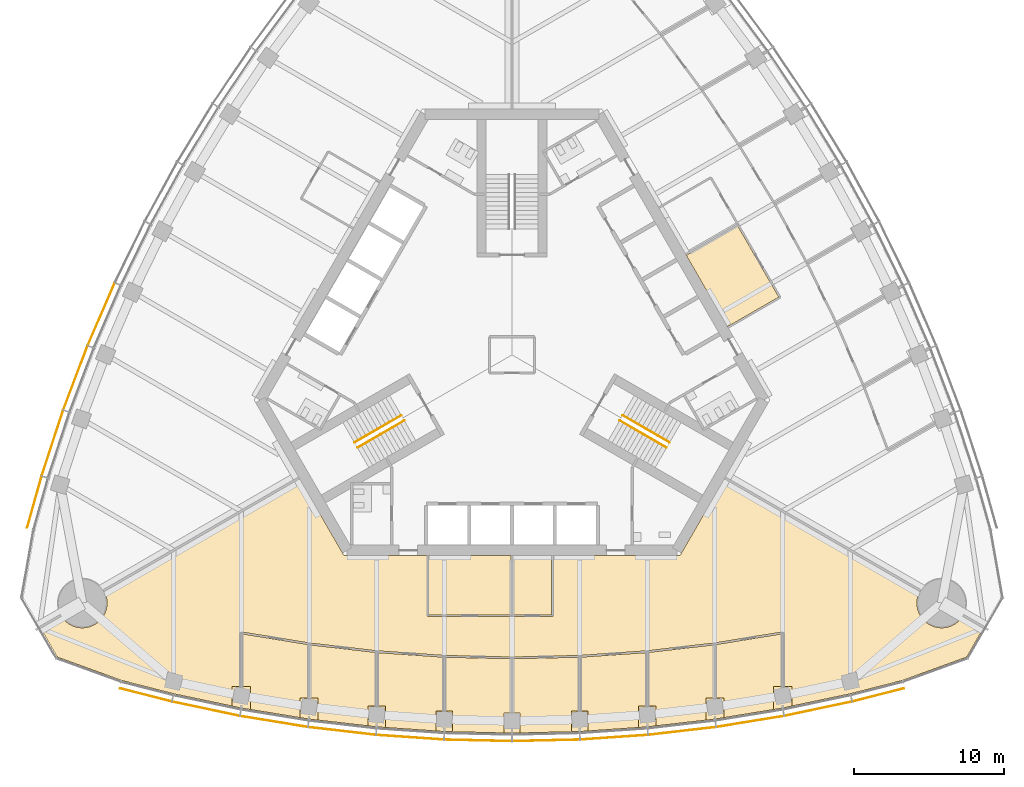
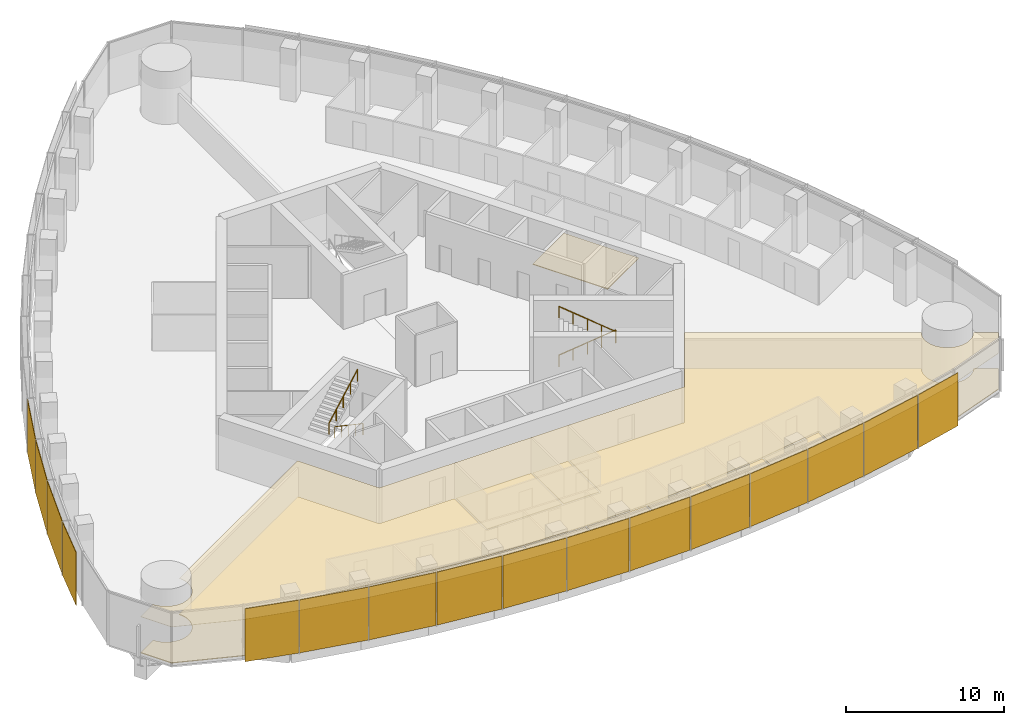
# One storey, part 15 of 19: 16 shading devices, 13 coverings, 4 railings.
"""IFC4 building model written with IfcOpenShell, lengths in metres."""

import ifcopenshell
import ifcopenshell.guid

model = None  # the IFC model being written
_history = None  # IfcOwnerHistory: only IFC2X3 demands one
_inside = {}  # id of a spatial element -> (the spatial element, [elements in it])
_under = {}  # id of a project, library or spatial element -> (it, [spatial elements below it])
_declared = {}  # id of a project -> (the project, [libraries it declares])
_typed = {}  # id of a type object -> (the type object, [elements of that type])
_made_of = {}  # id of a material, layer set ... -> (it, [elements and type objects made of it])


def new_model(schema):
    """Start an empty IFC model of exactly this schema.

    Asked for "IFC4X3", IfcOpenShell would pick the latest addendum, in which some entities
    have other attributes; the version numbers below select the first issue.
    IFC2X3 requires an IfcOwnerHistory on every rooted entity: one is made here for all.
    """
    global model, _history
    if schema == "IFC4X3":
        model = ifcopenshell.file(schema_version=(4, 3, 0, 0))
    else:
        model = ifcopenshell.file(schema=schema)
    _inside.clear()
    _under.clear()
    _declared.clear()
    _typed.clear()
    _made_of.clear()
    _history = None
    if model.schema == "IFC2X3":
        org = make("IfcOrganization", Name="unknown")
        user = make(
            "IfcPersonAndOrganization",
            ThePerson=make("IfcPerson", FamilyName="unknown"),
            TheOrganization=org,
        )
        app = make(
            "IfcApplication",
            ApplicationDeveloper=org,
            Version="unknown",
            ApplicationFullName="unknown",
            ApplicationIdentifier="unknown",
        )
        _history = make(
            "IfcOwnerHistory",
            OwningUser=user,
            OwningApplication=app,
            ChangeAction="ADDED",
            CreationDate=0,
        )
    return model


def make(cls, **values):
    """One entity of the class cls with the attributes given. An attribute that is None is left unset."""
    return model.create_entity(
        cls, **{name: value for name, value in values.items() if value is not None}
    )


def rooted(cls, **values):
    """An entity with a GlobalId (a new one), such as an element, a storey or a relation."""
    return make(cls, GlobalId=ifcopenshell.guid.new(), OwnerHistory=_history, **values)


def si_unit(unit_type, name, prefix=None):
    """IfcSIUnit, for example si_unit("LENGTHUNIT", "METRE", prefix="MILLI")."""
    return make("IfcSIUnit", UnitType=unit_type, Prefix=prefix, Name=name)


def assignment(units):
    """IfcUnitAssignment: the units of a project."""
    return None if units is None else make("IfcUnitAssignment", Units=units)


def point(xyz):
    """IfcCartesianPoint."""
    return None if xyz is None else make("IfcCartesianPoint", Coordinates=xyz)


def direction(xyz):
    """IfcDirection."""
    return None if xyz is None else make("IfcDirection", DirectionRatios=xyz)


def frame(location, z_axis=None, x_axis=None):
    """IfcAxis2Placement3D, a coordinate frame: its origin and axes. An axis left out is left unset."""
    return make(
        "IfcAxis2Placement3D",
        Location=point(location),
        Axis=direction(z_axis),
        RefDirection=direction(x_axis),
    )


def frame_2d(location, x_axis=None):
    """IfcAxis2Placement2D, a coordinate frame in the plane: its origin and x axis."""
    return make(
        "IfcAxis2Placement2D", Location=point(location), RefDirection=direction(x_axis)
    )


def origin():
    """The frame at (0, 0, 0) with its axes left unset."""
    return frame((0.0, 0.0, 0.0))


def origin_2d():
    """The frame at (0, 0) in the plane with its x axis left unset."""
    return frame_2d((0.0, 0.0))


def place(relative_to, where):
    """IfcLocalPlacement: puts the frame where relative to a parent placement (None: the world)."""
    return make(
        "IfcLocalPlacement", PlacementRelTo=relative_to, RelativePlacement=where
    )


def context(
    kind, dimensions, precision=None, world=None, true_north=None, identifier=None
):
    """IfcGeometricRepresentationContext, for example the 3D "Model" context."""
    return make(
        "IfcGeometricRepresentationContext",
        ContextIdentifier=identifier,
        ContextType=kind,
        CoordinateSpaceDimension=dimensions,
        Precision=precision,
        WorldCoordinateSystem=world,
        TrueNorth=true_north,
    )


def subcontext(parent, identifier, kind, view, scale=None):
    """IfcGeometricRepresentationSubContext, for example "Body" below "Model"."""
    return make(
        "IfcGeometricRepresentationSubContext",
        ContextIdentifier=identifier,
        ContextType=kind,
        ParentContext=parent,
        TargetScale=scale,
        TargetView=view,
    )


def project(units=None, contexts=None):
    """IfcProject with its units and contexts."""
    return rooted(
        "IfcProject",
        Name="project",
        RepresentationContexts=contexts,
        UnitsInContext=assignment(units),
    )


def spatial(cls, under=None, at=None, **own):
    """A site, building, storey or space (cls), placed at a placement, below another one or the project."""
    s = rooted(cls, ObjectPlacement=at, **own)
    if under is not None:
        _under.setdefault(under.id(), (under, []))[1].append(s)
    return s


def polyline(points):
    """IfcPolyline through the points."""
    return make("IfcPolyline", Points=[point(p) for p in points])


def profile(cls, at=None, kind="AREA", **sizes):
    """A parametric profile (cls). Its sizes go by their IFC names, for example OverallWidth=200.0."""
    return make(cls, ProfileType=kind, Position=at, **sizes)


def rectangle(**sizes):
    """IfcRectangleProfileDef."""
    return profile("IfcRectangleProfileDef", **sizes)


def circle(**sizes):
    """IfcCircleProfileDef."""
    return profile("IfcCircleProfileDef", **sizes)


def outline(outer, holes=None, kind="AREA"):
    """IfcArbitraryClosedProfileDef: a profile drawn as a closed curve; with holes, ...WithVoids."""
    if holes is None:
        return make("IfcArbitraryClosedProfileDef", ProfileType=kind, OuterCurve=outer)
    return make(
        "IfcArbitraryProfileDefWithVoids",
        ProfileType=kind,
        OuterCurve=outer,
        InnerCurves=holes,
    )


def extrude(swept, where, along, depth):
    """IfcExtrudedAreaSolid: the profile swept, set in the frame where, extruded along a direction by depth."""
    return make(
        "IfcExtrudedAreaSolid",
        SweptArea=swept,
        Position=where,
        ExtrudedDirection=direction(along),
        Depth=depth,
    )


def shape(context_of_items, identifier, shape_type, items):
    """IfcShapeRepresentation: the items that make up one representation, for example the "Body"."""
    return make(
        "IfcShapeRepresentation",
        ContextOfItems=context_of_items,
        RepresentationIdentifier=identifier,
        RepresentationType=shape_type,
        Items=items,
    )


def material(Name=None, Category=None):
    """IfcMaterial."""
    return make("IfcMaterial", Name=Name, Category=Category)


def layer(
    of_material, thickness, ventilated=None, Name=None, Category=None, Priority=None
):
    """IfcMaterialLayer: one layer of a wall or slab, of a material (None: an air gap)."""
    return make(
        "IfcMaterialLayer",
        Material=of_material,
        LayerThickness=thickness,
        IsVentilated=ventilated,
        Name=Name,
        Category=Category,
        Priority=Priority,
    )


def layer_set(layers, Name=None):
    """IfcMaterialLayerSet."""
    return make("IfcMaterialLayerSet", MaterialLayers=layers, LayerSetName=Name)


def made_of(thing, what):
    """Note that an element or type object is made of a material, layer set ...; save() writes the relation."""
    if what is not None:
        _made_of.setdefault(what.id(), (what, []))[1].append(thing)
    return thing


def type_object(cls, material=None, **own):
    """A type object (cls), such as IfcWallType, which elements share."""
    return made_of(rooted(cls, **own), material)


def element(
    cls,
    number,
    at=None,
    inside=None,
    cuts=None,
    type_object=None,
    material=None,
    context=None,
    identifier="Body",
    shape_type=None,
    held_by="IfcProductDefinitionShape",
    body=None,
    shapes=None,
    **own,
):
    """One element of the class cls, such as IfcWall. Its Tag is "e" and its number.

    at: its placement. inside: the storey or other place that contains it. cuts: it is an
    opening in that element (IfcRelVoidsElement). A single representation is given by context,
    identifier, shape_type and body (its items); several are given by shapes. held_by: the class
    of the entity that holds the representations. save() writes the other relations.
    """
    e = rooted(cls, Tag="e%d" % number, ObjectPlacement=at, **own)
    if body is not None:
        shapes = [shape(context, identifier, shape_type, body)]
    if shapes is not None:
        e.Representation = make(held_by, Representations=shapes)
    if inside is not None:
        _inside.setdefault(inside.id(), (inside, []))[1].append(e)
    if cuts is not None:
        rooted(
            "IfcRelVoidsElement", RelatingBuildingElement=cuts, RelatedOpeningElement=e
        )
    if type_object is not None:
        _typed.setdefault(type_object.id(), (type_object, []))[1].append(e)
    return made_of(e, material)


def aggregate(whole, parts):
    """IfcRelAggregates: a whole, such as a stair, and the parts it consists of."""
    return rooted("IfcRelAggregates", RelatingObject=whole, RelatedObjects=parts)


def save(model, path):
    """Write the relations noted so far, then the file.

    IfcRelAggregates (storeys below a building ...), IfcRelContainedInSpatialStructure (elements
    in a storey), IfcRelDefinesByType, IfcRelAssociatesMaterial and IfcRelDeclares: one each for
    every whole, place, type object, material and project.
    """
    for whole, parts in _under.values():
        aggregate(whole, parts)
    for where, things in _inside.values():
        rooted(
            "IfcRelContainedInSpatialStructure",
            RelatedElements=things,
            RelatingStructure=where,
        )
    for kind, things in _typed.values():
        rooted("IfcRelDefinesByType", RelatedObjects=things, RelatingType=kind)
    for what, things in _made_of.values():
        rooted("IfcRelAssociatesMaterial", RelatedObjects=things, RelatingMaterial=what)
    for by, libraries in _declared.values():
        rooted("IfcRelDeclares", RelatingContext=by, RelatedDefinitions=libraries)
    model.write(path)


model = new_model("IFC4")

# Units and contexts
model_context = context("Model", 3, precision=1e-05, world=origin(), true_north=direction((0.0, 1.0)))
body_context = subcontext(model_context, "Body", "Model", "MODEL_VIEW")
ifc_project = project(units=[si_unit("LENGTHUNIT", "METRE"), si_unit("AREAUNIT", "SQUARE_METRE"), si_unit("VOLUMEUNIT", "CUBIC_METRE"), si_unit("PLANEANGLEUNIT", "RADIAN"), si_unit("MASSUNIT", "GRAM", prefix="KILO")], contexts=[model_context])

# Site, building, storey
site_placement = place(None, origin())
site = spatial("IfcSite", under=ifc_project, at=site_placement, CompositionType="ELEMENT")
building_placement = place(site_placement, origin())
building = spatial("IfcBuilding", under=site, at=building_placement, Name="Trefoil Bronze Tower", CompositionType="ELEMENT")
storey_placement = place(building_placement, frame((0.0, 0.0, 235.89990234375)))
storey = spatial("IfcBuildingStorey", under=building, at=storey_placement, Name="L54", CompositionType="ELEMENT", Elevation=235.89990234375)

# Shading devices
ifc_material_1 = material(Name="Perforated bronze sheet", Category="bronze")
ifc_layer_1 = layer(ifc_material_1, 0.0400390625)
ifc_layer_set_1 = layer_set([ifc_layer_1], Name="Bronze solar screen panel")
shading_device_type = type_object("IfcShadingDeviceType", Name="Bronze solar screen panel", PredefinedType="SHUTTER", material=ifc_layer_set_1)
shading_device_1_placement = place(storey_placement, frame((-24.360107421875, -22.614501953125, 0.050048828125), z_axis=(0.0, 0.0, 1.0), x_axis=(0.968934035393, -0.247319297786, 0.0)))
element("IfcShadingDevice", 1, at=shading_device_1_placement, inside=storey, type_object=shading_device_type, Name="Solar screen CW-A L54 F1 bay 1", PredefinedType="SHUTTER", context=body_context, shape_type="SweptSolid", body=[
    extrude(rectangle(XDim=3.53369140625, YDim=0.0400390625, at=origin_2d()), origin(), (0.0, 0.0, 1.0), 4.10009765625),
])
shading_device_2_placement = place(storey_placement, frame((-20.361572265625, -23.535888671875, 0.050048828125), z_axis=(0.0, 0.0, 1.0), x_axis=(0.978394335897, -0.20674748725, 0.0)))
element("IfcShadingDevice", 2, at=shading_device_2_placement, inside=storey, type_object=shading_device_type, Name="Solar screen CW-A L54 F1 bay 2", PredefinedType="SHUTTER", context=body_context, shape_type="SweptSolid", body=[
    extrude(rectangle(XDim=4.5693359375, YDim=0.0400390625, at=origin_2d()), origin(), (0.0, 0.0, 1.0), 4.10009765625),
])
shading_device_3_placement = place(storey_placement, frame((-15.8369140625, -24.382568359375, 0.050048828125), z_axis=(0.0, 0.0, 1.0), x_axis=(0.986986549528, -0.160802832848, 0.0)))
element("IfcShadingDevice", 3, at=shading_device_3_placement, inside=storey, type_object=shading_device_type, Name="Solar screen CW-A L54 F1 bay 3", PredefinedType="SHUTTER", context=body_context, shape_type="SweptSolid", body=[
    extrude(rectangle(XDim=4.529296875, YDim=0.0400390625, at=origin_2d()), origin(), (0.0, 0.0, 1.0), 4.10009765625),
])
shading_device_4_placement = place(storey_placement, frame((-11.31201171875, -25.0126953125, 0.050048828125), z_axis=(0.0, 0.0, 1.0), x_axis=(0.993381831741, -0.114858767043, 0.0)))
element("IfcShadingDevice", 4, at=shading_device_4_placement, inside=storey, type_object=shading_device_type, Name="Solar screen CW-A L54 F1 bay 4", PredefinedType="SHUTTER", context=body_context, shape_type="SweptSolid", body=[
    extrude(rectangle(XDim=4.5, YDim=0.0400390625, at=origin_2d()), origin(), (0.0, 0.0, 1.0), 4.10009765625),
])
shading_device_5_placement = place(storey_placement, frame((-6.787109375, -25.430419921875, 0.050048828125), z_axis=(0.0, 0.0, 1.0), x_axis=(0.99762252804, -0.068915103905, 0.0)))
element("IfcShadingDevice", 5, at=shading_device_5_placement, inside=storey, type_object=shading_device_type, Name="Solar screen CW-A L54 F1 bay 5", PredefinedType="SHUTTER", context=body_context, shape_type="SweptSolid", body=[
    extrude(rectangle(XDim=4.480712890625, YDim=0.0400390625, at=origin_2d()), origin(), (0.0, 0.0, 1.0), 4.10009765625),
])
for number, where, z_axis, x_axis, name in (
    (6, (-2.262451171875, -25.638671875, 0.050048828125), (0.0, 0.0, 1.0), (0.999736116243, -0.022971675577, 0.0), "Solar screen CW-A L54 F1 bay 6"),
    (7, (2.262451171875, -25.638671875, 0.050048828125), (0.0, 0.0, 1.0), (0.999736116243, 0.022971675577, 0.0), "Solar screen CW-A L54 F1 bay 7"),
):
    element("IfcShadingDevice", number, at=place(storey_placement, frame(where, z_axis=z_axis, x_axis=x_axis)), inside=storey, type_object=shading_device_type, Name=name, PredefinedType="SHUTTER", context=body_context, shape_type="SweptSolid", body=[
        extrude(rectangle(XDim=4.47119140625, YDim=0.0400390625, at=origin_2d()), origin(), (0.0, 0.0, 1.0), 4.10009765625),
    ])
shading_device_6_placement = place(storey_placement, frame((6.787109375, -25.430419921875, 0.050048828125), z_axis=(0.0, 0.0, 1.0), x_axis=(0.99762252804, 0.068915103905, 0.0)))
element("IfcShadingDevice", 8, at=shading_device_6_placement, inside=storey, type_object=shading_device_type, Name="Solar screen CW-A L54 F1 bay 8", PredefinedType="SHUTTER", context=body_context, shape_type="SweptSolid", body=[
    extrude(rectangle(XDim=4.480712890625, YDim=0.0400390625, at=origin_2d()), origin(), (0.0, 0.0, 1.0), 4.10009765625),
])
shading_device_7_placement = place(storey_placement, frame((11.31201171875, -25.0126953125, 0.050048828125), z_axis=(0.0, 0.0, 1.0), x_axis=(0.993381831741, 0.114858767043, 0.0)))
element("IfcShadingDevice", 9, at=shading_device_7_placement, inside=storey, type_object=shading_device_type, Name="Solar screen CW-A L54 F1 bay 9", PredefinedType="SHUTTER", context=body_context, shape_type="SweptSolid", body=[
    extrude(rectangle(XDim=4.5, YDim=0.0400390625, at=origin_2d()), origin(), (0.0, 0.0, 1.0), 4.10009765625),
])
shading_device_8_placement = place(storey_placement, frame((15.8369140625, -24.382568359375, 0.050048828125), z_axis=(0.0, 0.0, 1.0), x_axis=(0.986986549528, 0.160802832848, 0.0)))
element("IfcShadingDevice", 10, at=shading_device_8_placement, inside=storey, type_object=shading_device_type, Name="Solar screen CW-A L54 F1 bay 10", PredefinedType="SHUTTER", context=body_context, shape_type="SweptSolid", body=[
    extrude(rectangle(XDim=4.529296875, YDim=0.0400390625, at=origin_2d()), origin(), (0.0, 0.0, 1.0), 4.10009765625),
])
shading_device_9_placement = place(storey_placement, frame((20.361572265625, -23.535888671875, 0.050048828125), z_axis=(0.0, 0.0, 1.0), x_axis=(0.978394335897, 0.20674748725, 0.0)))
element("IfcShadingDevice", 11, at=shading_device_9_placement, inside=storey, type_object=shading_device_type, Name="Solar screen CW-A L54 F1 bay 11", PredefinedType="SHUTTER", context=body_context, shape_type="SweptSolid", body=[
    extrude(rectangle(XDim=4.5693359375, YDim=0.0400390625, at=origin_2d()), origin(), (0.0, 0.0, 1.0), 4.10009765625),
])
shading_device_10_placement = place(storey_placement, frame((24.360107421875, -22.614501953125, 0.050048828125), z_axis=(0.0, 0.0, 1.0), x_axis=(0.968934035393, 0.247319297786, 0.0)))
element("IfcShadingDevice", 12, at=shading_device_10_placement, inside=storey, type_object=shading_device_type, Name="Solar screen CW-A L54 F1 bay 12", PredefinedType="SHUTTER", context=body_context, shape_type="SweptSolid", body=[
    extrude(rectangle(XDim=3.53369140625, YDim=0.0400390625, at=origin_2d()), origin(), (0.0, 0.0, 1.0), 4.10009765625),
])
shading_device_11_placement = place(storey_placement, frame((-27.317626953125, 2.709716796875, 0.050048828125), z_axis=(0.0, 0.0, 1.0), x_axis=(-0.397220305764, -0.917723285467, 0.0)))
element("IfcShadingDevice", 13, at=shading_device_11_placement, inside=storey, type_object=shading_device_type, Name="Solar screen CW-A L54 F3 bay 9", PredefinedType="SHUTTER", context=body_context, shape_type="SweptSolid", body=[
    extrude(rectangle(XDim=4.5, YDim=0.0400390625, at=origin_2d()), origin(), (0.0, 0.0, 1.0), 4.10009765625),
])
shading_device_12_placement = place(storey_placement, frame((-29.0341796875, -1.52392578125, 0.050048828125), z_axis=(0.0, 0.0, 1.0), x_axis=(-0.354233936517, -0.935156841508, 0.0)))
element("IfcShadingDevice", 14, at=shading_device_12_placement, inside=storey, type_object=shading_device_type, Name="Solar screen CW-A L54 F3 bay 10", PredefinedType="SHUTTER", context=body_context, shape_type="SweptSolid", body=[
    extrude(rectangle(XDim=4.529296875, YDim=0.0400390625, at=origin_2d()), origin(), (0.0, 0.0, 1.0), 4.10009765625),
])
shading_device_13_placement = place(storey_placement, frame((-30.5634765625, -5.86572265625, 0.050048828125), z_axis=(0.0, 0.0, 1.0), x_axis=(-0.310148591821, -0.950688093431, 0.0)))
element("IfcShadingDevice", 15, at=shading_device_13_placement, inside=storey, type_object=shading_device_type, Name="Solar screen CW-A L54 F3 bay 11", PredefinedType="SHUTTER", context=body_context, shape_type="SweptSolid", body=[
    extrude(rectangle(XDim=4.5693359375, YDim=0.0400390625, at=origin_2d()), origin(), (0.0, 0.0, 1.0), 4.10009765625),
])
shading_device_14_placement = place(storey_placement, frame((-31.764892578125, -9.7890625, 0.050048828125), z_axis=(0.0, 0.0, 1.0), x_axis=(-0.270282222968, -0.962781138134, 0.0)))
element("IfcShadingDevice", 16, at=shading_device_14_placement, inside=storey, type_object=shading_device_type, Name="Solar screen CW-A L54 F3 bay 12", PredefinedType="SHUTTER", context=body_context, shape_type="SweptSolid", body=[
    extrude(rectangle(XDim=3.53369140625, YDim=0.0400390625, at=origin_2d()), origin(), (0.0, 0.0, 1.0), 4.10009765625),
])

# Railings
ifc_material_2 = material(Name="Steel handrail", Category="steel")
railing_type = type_object("IfcRailingType", Name="Handrail 900", PredefinedType="HANDRAIL", material=ifc_material_2)
railing_1_placement = place(storey_placement, frame((7.365966796875, -4.021728515625, 0.16162109375)))
element("IfcRailing", 17, at=railing_1_placement, inside=storey, type_object=railing_type, Name="Handrail ST1 flight 1 L54", PredefinedType="HANDRAIL", context=body_context, shape_type="SweptSolid", body=[
    extrude(circle(Radius=0.02392578125, at=origin_2d()), frame((0.0, 0.0, 0.8759765625), z_axis=(0.76250339821, -0.440245697338, 0.474101564745), x_axis=(0.500012057535, 0.866018442252, 0.0)), (0.0, 0.0, 1.0), 4.088623046875),
    extrude(circle(Radius=0.02099609375, at=origin_2d()), origin(), (0.0, 0.0, 1.0), 0.851806640625),
    extrude(circle(Radius=0.02099609375, at=origin_2d()), frame((0.779296875, -0.449951171875, 0.484619140625)), (0.0, 0.0, 1.0), 0.851806640625),
    extrude(circle(Radius=0.02099609375, at=origin_2d()), frame((1.558837890625, -0.89990234375, 0.96923828125)), (0.0, 0.0, 1.0), 0.851806640625),
    extrude(circle(Radius=0.02099609375, at=origin_2d()), frame((2.33837890625, -1.35009765625, 1.453857421875)), (0.0, 0.0, 1.0), 0.851806640625),
    extrude(circle(Radius=0.02099609375, at=origin_2d()), frame((3.11767578125, -1.800048828125, 1.9384765625)), (0.0, 0.0, 1.0), 0.851806640625),
])
railing_2_placement = place(storey_placement, frame((10.28369140625, -6.168212890625, 2.26171875)))
element("IfcRailing", 18, at=railing_2_placement, inside=storey, type_object=railing_type, Name="Handrail ST1 flight 2 L54", PredefinedType="HANDRAIL", context=body_context, shape_type="SweptSolid", body=[
    extrude(circle(Radius=0.02392578125, at=origin_2d()), frame((0.0, 0.0, 0.8759765625), z_axis=(-0.76250339821, 0.440245697338, 0.474101564745), x_axis=(-0.500012057535, -0.866018442252, 0.0)), (0.0, 0.0, 1.0), 4.088623046875),
    extrude(circle(Radius=0.02099609375, at=origin_2d()), origin(), (0.0, 0.0, 1.0), 0.851806640625),
    extrude(circle(Radius=0.02099609375, at=origin_2d()), frame((-0.779296875, 0.449951171875, 0.484619140625)), (0.0, 0.0, 1.0), 0.851806640625),
    extrude(circle(Radius=0.02099609375, at=origin_2d()), frame((-1.558837890625, 0.89990234375, 0.96923828125)), (0.0, 0.0, 1.0), 0.851806640625),
    extrude(circle(Radius=0.02099609375, at=origin_2d()), frame((-2.33837890625, 1.35009765625, 1.453857421875)), (0.0, 0.0, 1.0), 0.851806640625),
    extrude(circle(Radius=0.02099609375, at=origin_2d()), frame((-3.11767578125, 1.800048828125, 1.9384765625)), (0.0, 0.0, 1.0), 0.851806640625),
])
railing_3_placement = place(storey_placement, frame((-7.166015625, -4.3681640625, 0.16162109375)))
element("IfcRailing", 19, at=railing_3_placement, inside=storey, type_object=railing_type, Name="Handrail ST3 flight 1 L54", PredefinedType="HANDRAIL", context=body_context, shape_type="SweptSolid", body=[
    extrude(circle(Radius=0.02392578125, at=origin_2d()), frame((0.0, 0.0, 0.8759765625), z_axis=(-0.76250339821, -0.440245697338, 0.474101564745), x_axis=(0.500012057535, -0.866018442252, 0.0)), (0.0, 0.0, 1.0), 4.088623046875),
    extrude(circle(Radius=0.02099609375, at=origin_2d()), origin(), (0.0, 0.0, 1.0), 0.851806640625),
    extrude(circle(Radius=0.02099609375, at=origin_2d()), frame((-0.779296875, -0.449951171875, 0.484619140625)), (0.0, 0.0, 1.0), 0.851806640625),
    extrude(circle(Radius=0.02099609375, at=origin_2d()), frame((-1.558837890625, -0.89990234375, 0.96923828125)), (0.0, 0.0, 1.0), 0.851806640625),
    extrude(circle(Radius=0.02099609375, at=origin_2d()), frame((-2.33837890625, -1.35009765625, 1.453857421875)), (0.0, 0.0, 1.0), 0.851806640625),
    extrude(circle(Radius=0.02099609375, at=origin_2d()), frame((-3.11767578125, -1.800048828125, 1.9384765625)), (0.0, 0.0, 1.0), 0.851806640625),
])
railing_4_placement = place(storey_placement, frame((-10.483642578125, -5.82177734375, 2.26171875)))
element("IfcRailing", 20, at=railing_4_placement, inside=storey, type_object=railing_type, Name="Handrail ST3 flight 2 L54", PredefinedType="HANDRAIL", context=body_context, shape_type="SweptSolid", body=[
    extrude(circle(Radius=0.02392578125, at=origin_2d()), frame((0.0, 0.0, 0.8759765625), z_axis=(0.76250339821, 0.440245697338, 0.474101564745), x_axis=(-0.500012057535, 0.866018442252, 0.0)), (0.0, 0.0, 1.0), 4.088623046875),
    extrude(circle(Radius=0.02099609375, at=origin_2d()), origin(), (0.0, 0.0, 1.0), 0.851806640625),
    extrude(circle(Radius=0.02099609375, at=origin_2d()), frame((0.779296875, 0.449951171875, 0.484619140625)), (0.0, 0.0, 1.0), 0.851806640625),
    extrude(circle(Radius=0.02099609375, at=origin_2d()), frame((1.558837890625, 0.89990234375, 0.96923828125)), (0.0, 0.0, 1.0), 0.851806640625),
    extrude(circle(Radius=0.02099609375, at=origin_2d()), frame((2.33837890625, 1.35009765625, 1.453857421875)), (0.0, 0.0, 1.0), 0.851806640625),
    extrude(circle(Radius=0.02099609375, at=origin_2d()), frame((3.11767578125, 1.800048828125, 1.9384765625)), (0.0, 0.0, 1.0), 0.851806640625),
])

# Coverings
ifc_material_3 = material(Name="Acoustic ceiling panels", Category="mineral fibre")
ifc_layer_2 = layer(ifc_material_3, 0.02001953125)
ifc_layer_set_2 = layer_set([ifc_layer_2], Name="Office ceiling 20")
covering_type_1 = type_object("IfcCoveringType", Name="Office ceiling 20", PredefinedType="CEILING", material=ifc_layer_set_2)
covering_1_placement = place(storey_placement, frame((0.0, 0.0, 2.900146484375)))
element("IfcCovering", 21, at=covering_1_placement, inside=storey, type_object=covering_type_1, Name="Ceiling L54 Open-plan office F1", PredefinedType="CEILING", context=body_context, shape_type="SweptSolid", body=[
    extrude(outline(polyline([(-29.95068359375, -17.416748046875), (-29.904052734375, -17.48291015625), (-29.854248046875, -17.546630859375), (-29.801513671875, -17.608154296875), (-29.74560546875, -17.666748046875), (-29.68701171875, -17.72265625), (-29.62548828125, -17.775390625), (-29.561767578125, -17.8251953125), (-29.49560546875, -17.871826171875), (-29.427001953125, -17.915283203125), (-29.356689453125, -17.955078125), (-29.2841796875, -17.99169921875), (-29.210205078125, -18.0244140625), (-29.134765625, -18.053466796875), (-29.057861328125, -18.0791015625), (-28.979736328125, -18.1005859375), (-28.900634765625, -18.118408203125), (-28.82080078125, -18.132080078125), (-28.740478515625, -18.14208984375), (-28.659912109375, -18.14794921875), (-28.578857421875, -18.14990234375), (-28.497802734375, -18.14794921875), (-28.4169921875, -18.14208984375), (-28.336669921875, -18.132080078125), (-28.2568359375, -18.118408203125), (-28.177978515625, -18.1005859375), (-28.099853515625, -18.0791015625), (-28.02294921875, -18.053466796875), (-27.947509765625, -18.0244140625), (-27.873291015625, -17.99169921875), (-27.801025390625, -17.955078125), (-27.730712890625, -17.915283203125), (-27.662109375, -17.871826171875), (-27.595947265625, -17.8251953125), (-27.531982421875, -17.775390625), (-27.470703125, -17.72265625), (-27.412109375, -17.666748046875), (-27.356201171875, -17.608154296875), (-27.303466796875, -17.546630859375), (-27.25341796875, -17.48291015625), (-27.206787109375, -17.416748046875), (-27.16357421875, -17.348388671875), (-27.123779296875, -17.27783203125), (-27.08740234375, -17.20556640625), (-27.054443359375, -17.13134765625), (-27.025390625, -17.055908203125), (-27.0, -16.97900390625), (-26.978271484375, -16.90087890625), (-26.96044921875, -16.822021484375), (-26.94677734375, -16.7421875), (-26.936767578125, -16.66162109375), (-26.930908203125, -16.5810546875), (-26.9287109375, -16.5), (-26.930908203125, -16.4189453125), (-26.936767578125, -16.33837890625), (-26.94677734375, -16.2578125), (-26.96044921875, -16.177978515625), (-26.978271484375, -16.09912109375), (-27.0, -16.02099609375), (-27.025390625, -15.944091796875), (-27.054443359375, -15.86865234375), (-27.08740234375, -15.79443359375), (-27.123779296875, -15.72216796875), (-27.14453125, -15.685546875), (-14.156494140625, -8.180419921875), (-11.171630859375, -13.35009765625), (11.171630859375, -13.35009765625), (14.156494140625, -8.180419921875), (27.14453125, -15.685546875), (27.123779296875, -15.72216796875), (27.08740234375, -15.79443359375), (27.054443359375, -15.86865234375), (27.025390625, -15.944091796875), (27.0, -16.02099609375), (26.978271484375, -16.09912109375), (26.96044921875, -16.177978515625), (26.94677734375, -16.2578125), (26.936767578125, -16.33837890625), (26.930908203125, -16.4189453125), (26.9287109375, -16.5), (26.930908203125, -16.5810546875), (26.936767578125, -16.66162109375), (26.94677734375, -16.7421875), (26.96044921875, -16.822021484375), (26.978271484375, -16.90087890625), (27.0, -16.97900390625), (27.025390625, -17.055908203125), (27.054443359375, -17.13134765625), (27.08740234375, -17.20556640625), (27.123779296875, -17.27783203125), (27.16357421875, -17.348388671875), (27.206787109375, -17.416748046875), (27.25341796875, -17.48291015625), (27.303466796875, -17.546630859375), (27.356201171875, -17.608154296875), (27.412109375, -17.666748046875), (27.470703125, -17.72265625), (27.531982421875, -17.775390625), (27.595947265625, -17.8251953125), (27.662109375, -17.871826171875), (27.730712890625, -17.915283203125), (27.801025390625, -17.955078125), (27.873291015625, -17.99169921875), (27.947509765625, -18.0244140625), (28.02294921875, -18.053466796875), (28.099853515625, -18.0791015625), (28.177978515625, -18.1005859375), (28.2568359375, -18.118408203125), (28.336669921875, -18.132080078125), (28.4169921875, -18.14208984375), (28.497802734375, -18.14794921875), (28.578857421875, -18.14990234375), (28.659912109375, -18.14794921875), (28.740478515625, -18.14208984375), (28.82080078125, -18.132080078125), (28.900634765625, -18.118408203125), (28.979736328125, -18.1005859375), (29.057861328125, -18.0791015625), (29.134765625, -18.053466796875), (29.210205078125, -18.0244140625), (29.2841796875, -17.99169921875), (29.356689453125, -17.955078125), (29.427001953125, -17.915283203125), (29.49560546875, -17.871826171875), (29.561767578125, -17.8251953125), (29.62548828125, -17.775390625), (29.68701171875, -17.72265625), (29.74560546875, -17.666748046875), (29.801513671875, -17.608154296875), (29.854248046875, -17.546630859375), (29.904052734375, -17.48291015625), (29.95068359375, -17.416748046875), (30.0009765625, -17.336181640625), (31.37158203125, -18.1279296875), (30.23828125, -20.0908203125), (25.952880859375, -21.650634765625), (22.5, -22.531982421875), (18.0, -23.48291015625), (13.5, -24.216064453125), (9.0, -24.736328125), (4.5, -25.047119140625), (0.0, -25.150634765625), (-4.5, -25.047119140625), (-9.0, -24.736328125), (-13.5, -24.216064453125), (-18.0, -23.48291015625), (-22.5, -22.531982421875), (-25.952880859375, -21.650634765625), (-30.23828125, -20.0908203125), (-31.37158203125, -18.1279296875), (-30.0009765625, -17.336181640625), (-29.95068359375, -17.416748046875)])), origin(), (0.0, 0.0, 1.0), 0.02001953125),
])
ifc_material_4 = material(Name="Raised access floor panels", Category="steel")
ifc_layer_3 = layer(ifc_material_4, 0.050048828125)
ifc_layer_set_3 = layer_set([ifc_layer_3], Name="Raised access floor 150")
covering_type_2 = type_object("IfcCoveringType", Name="Raised access floor 150", PredefinedType="FLOORING", material=ifc_layer_set_3)
covering_2_placement = place(storey_placement, frame((0.0, 0.0, 0.10009765625)))
element("IfcCovering", 22, at=covering_2_placement, inside=storey, type_object=covering_type_2, Name="Raised floor L54 Meeting room F1", PredefinedType="FLOORING", context=body_context, shape_type="SweptSolid", body=[
    extrude(outline(polyline([(-0.06005859375, -13.35009765625), (-0.06005859375, -17.2900390625), (-5.5400390625, -17.2900390625), (-5.5400390625, -13.35009765625), (-0.06005859375, -13.35009765625)])), origin(), (0.0, 0.0, 1.0), 0.050048828125),
])
covering_3_placement = place(storey_placement, frame((0.0, 0.0, 0.10009765625)))
element("IfcCovering", 23, at=covering_3_placement, inside=storey, type_object=covering_type_2, Name="Raised floor L54 Pantry F1", PredefinedType="FLOORING", context=body_context, shape_type="SweptSolid", body=[
    extrude(outline(polyline([(2.639892578125, -13.35009765625), (2.639892578125, -17.2900390625), (0.06005859375, -17.2900390625), (0.06005859375, -13.35009765625), (2.639892578125, -13.35009765625)])), origin(), (0.0, 0.0, 1.0), 0.050048828125),
])
covering_4_placement = place(storey_placement, frame((0.0, 0.0, 0.10009765625)))
element("IfcCovering", 24, at=covering_4_placement, inside=storey, type_object=covering_type_2, Name="Raised floor L54 Office F1", PredefinedType="FLOORING", context=body_context, shape_type="SweptSolid", body=[
    extrude(outline(polyline([(-17.93994140625, -22.055419921875), (-17.93994140625, -18.553466796875), (-13.56005859375, -19.26708984375), (-13.56005859375, -22.81494140625), (-14.093505859375, -22.81494140625), (-14.093505859375, -24.119384765625), (-17.38623046875, -23.5830078125), (-17.38623046875, -22.055419921875), (-17.93994140625, -22.055419921875)])), origin(), (0.0, 0.0, 1.0), 0.050048828125),
])
covering_5_placement = place(storey_placement, frame((0.0, 0.0, 0.10009765625)))
element("IfcCovering", 25, at=covering_5_placement, inside=storey, type_object=covering_type_2, Name="Raised floor L54 Office F1", PredefinedType="FLOORING", context=body_context, shape_type="SweptSolid", body=[
    extrude(outline(polyline([(-13.43994140625, -22.81494140625), (-13.43994140625, -19.283447265625), (-9.06005859375, -19.789794921875), (-9.06005859375, -23.36083984375), (-9.572021484375, -23.36083984375), (-9.572021484375, -24.670166015625), (-12.906494140625, -24.28466796875), (-12.906494140625, -22.81494140625), (-13.43994140625, -22.81494140625)])), origin(), (0.0, 0.0, 1.0), 0.050048828125),
])
covering_6_placement = place(storey_placement, frame((0.0, 0.0, 0.10009765625)))
element("IfcCovering", 26, at=covering_6_placement, inside=storey, type_object=covering_type_2, Name="Raised floor L54 Office F1", PredefinedType="FLOORING", context=body_context, shape_type="SweptSolid", body=[
    extrude(outline(polyline([(-8.93994140625, -23.36083984375), (-8.93994140625, -19.80078125), (-4.56005859375, -20.103271484375), (-4.56005859375, -23.69091796875), (-4.5, -23.69091796875), (-4.5, -23.69677734375), (-5.049560546875, -23.69677734375), (-5.049560546875, -25.00927734375), (-8.427978515625, -24.77587890625), (-8.427978515625, -23.36083984375), (-8.93994140625, -23.36083984375)])), origin(), (0.0, 0.0, 1.0), 0.050048828125),
])
covering_7_placement = place(storey_placement, frame((0.0, 0.0, 0.10009765625)))
element("IfcCovering", 27, at=covering_7_placement, inside=storey, type_object=covering_type_2, Name="Raised floor L54 Office F1", PredefinedType="FLOORING", context=body_context, shape_type="SweptSolid", body=[
    extrude(outline(polyline([(-4.5, -23.69091796875), (-4.43994140625, -23.69091796875), (-4.43994140625, -20.108642578125), (-0.06005859375, -20.209228515625), (-0.06005859375, -23.795654296875), (0.0, -23.795654296875), (0.0, -23.82470703125), (-0.52587890625, -23.82470703125), (-0.52587890625, -25.138427734375), (-3.950439453125, -25.059814453125), (-3.950439453125, -23.69677734375), (-4.5, -23.69677734375), (-4.5, -23.69091796875)])), origin(), (0.0, 0.0, 1.0), 0.050048828125),
])
covering_8_placement = place(storey_placement, frame((0.0, 0.0, 0.10009765625)))
element("IfcCovering", 28, at=covering_8_placement, inside=storey, type_object=covering_type_2, Name="Raised floor L54 Office F1", PredefinedType="FLOORING", context=body_context, shape_type="SweptSolid", body=[
    extrude(outline(polyline([(0.0, -23.795654296875), (0.06005859375, -23.795654296875), (0.06005859375, -20.209228515625), (4.43994140625, -20.108642578125), (4.43994140625, -23.69091796875), (4.5, -23.69091796875), (4.5, -23.69677734375), (3.950439453125, -23.69677734375), (3.950439453125, -25.059814453125), (0.52587890625, -25.138427734375), (0.52587890625, -23.82470703125), (0.0, -23.82470703125), (0.0, -23.795654296875)])), origin(), (0.0, 0.0, 1.0), 0.050048828125),
])
covering_9_placement = place(storey_placement, frame((0.0, 0.0, 0.10009765625)))
element("IfcCovering", 29, at=covering_9_placement, inside=storey, type_object=covering_type_2, Name="Raised floor L54 Office F1", PredefinedType="FLOORING", context=body_context, shape_type="SweptSolid", body=[
    extrude(outline(polyline([(4.5, -23.69091796875), (4.56005859375, -23.69091796875), (4.56005859375, -20.103271484375), (8.93994140625, -19.80078125), (8.93994140625, -23.36083984375), (8.427978515625, -23.36083984375), (8.427978515625, -24.77587890625), (5.049560546875, -25.00927734375), (5.049560546875, -23.69677734375), (4.5, -23.69677734375), (4.5, -23.69091796875)])), origin(), (0.0, 0.0, 1.0), 0.050048828125),
])
covering_10_placement = place(storey_placement, frame((0.0, 0.0, 0.10009765625)))
element("IfcCovering", 30, at=covering_10_placement, inside=storey, type_object=covering_type_2, Name="Raised floor L54 Office F1", PredefinedType="FLOORING", context=body_context, shape_type="SweptSolid", body=[
    extrude(outline(polyline([(9.06005859375, -19.789794921875), (13.43994140625, -19.283447265625), (13.43994140625, -22.81494140625), (12.906494140625, -22.81494140625), (12.906494140625, -24.28466796875), (9.572021484375, -24.670166015625), (9.572021484375, -23.36083984375), (9.06005859375, -23.36083984375), (9.06005859375, -19.789794921875)])), origin(), (0.0, 0.0, 1.0), 0.050048828125),
])
covering_11_placement = place(storey_placement, frame((0.0, 0.0, 0.10009765625)))
element("IfcCovering", 31, at=covering_11_placement, inside=storey, type_object=covering_type_2, Name="Raised floor L54 Office F1", PredefinedType="FLOORING", context=body_context, shape_type="SweptSolid", body=[
    extrude(outline(polyline([(13.56005859375, -19.26708984375), (17.93994140625, -18.553466796875), (17.93994140625, -22.055419921875), (17.38623046875, -22.055419921875), (17.38623046875, -23.5830078125), (14.093505859375, -24.119384765625), (14.093505859375, -22.81494140625), (13.56005859375, -22.81494140625), (13.56005859375, -19.26708984375)])), origin(), (0.0, 0.0, 1.0), 0.050048828125),
])
covering_12_placement = place(storey_placement, frame((0.0, 0.0, 0.10009765625)))
element("IfcCovering", 32, at=covering_12_placement, inside=storey, type_object=covering_type_2, Name="Raised floor L54 Open-plan office F1", PredefinedType="FLOORING", context=body_context, shape_type="SweptSolid", body=[
    extrude(outline(polyline([(-14.156494140625, -8.180419921875), (-11.171630859375, -13.35009765625), (-5.659912109375, -13.35009765625), (-5.659912109375, -17.35009765625), (-5.60009765625, -17.35009765625), (-5.60009765625, -17.409912109375), (2.699951171875, -17.409912109375), (2.699951171875, -17.35009765625), (2.760009765625, -17.35009765625), (2.760009765625, -13.35009765625), (11.171630859375, -13.35009765625), (14.156494140625, -8.180419921875), (27.14453125, -15.685546875), (27.123779296875, -15.72216796875), (27.08740234375, -15.79443359375), (27.054443359375, -15.86865234375), (27.025390625, -15.944091796875), (27.0, -16.02099609375), (26.978271484375, -16.09912109375), (26.96044921875, -16.177978515625), (26.94677734375, -16.2578125), (26.936767578125, -16.33837890625), (26.930908203125, -16.4189453125), (26.9287109375, -16.5), (26.930908203125, -16.5810546875), (26.936767578125, -16.66162109375), (26.94677734375, -16.7421875), (26.96044921875, -16.822021484375), (26.978271484375, -16.90087890625), (27.0, -16.97900390625), (27.025390625, -17.055908203125), (27.054443359375, -17.13134765625), (27.08740234375, -17.20556640625), (27.123779296875, -17.27783203125), (27.16357421875, -17.348388671875), (27.206787109375, -17.416748046875), (27.25341796875, -17.48291015625), (27.303466796875, -17.546630859375), (27.356201171875, -17.608154296875), (27.412109375, -17.666748046875), (27.470703125, -17.72265625), (27.531982421875, -17.775390625), (27.595947265625, -17.8251953125), (27.662109375, -17.871826171875), (27.730712890625, -17.915283203125), (27.801025390625, -17.955078125), (27.873291015625, -17.99169921875), (27.947509765625, -18.0244140625), (28.02294921875, -18.053466796875), (28.099853515625, -18.0791015625), (28.177978515625, -18.1005859375), (28.2568359375, -18.118408203125), (28.336669921875, -18.132080078125), (28.4169921875, -18.14208984375), (28.497802734375, -18.14794921875), (28.578857421875, -18.14990234375), (28.659912109375, -18.14794921875), (28.740478515625, -18.14208984375), (28.82080078125, -18.132080078125), (28.900634765625, -18.118408203125), (28.979736328125, -18.1005859375), (29.057861328125, -18.0791015625), (29.134765625, -18.053466796875), (29.210205078125, -18.0244140625), (29.2841796875, -17.99169921875), (29.356689453125, -17.955078125), (29.427001953125, -17.915283203125), (29.49560546875, -17.871826171875), (29.561767578125, -17.8251953125), (29.62548828125, -17.775390625), (29.68701171875, -17.72265625), (29.74560546875, -17.666748046875), (29.801513671875, -17.608154296875), (29.854248046875, -17.546630859375), (29.904052734375, -17.48291015625), (29.95068359375, -17.416748046875), (30.0009765625, -17.336181640625), (31.37158203125, -18.1279296875), (30.23828125, -20.0908203125), (25.952880859375, -21.650634765625), (22.5, -22.531982421875), (18.61376953125, -23.353271484375), (18.61376953125, -22.055419921875), (18.06005859375, -22.055419921875), (18.06005859375, -18.48291015625), (18.0, -18.48291015625), (17.990478515625, -18.423583984375), (13.49169921875, -19.156494140625), (8.994384765625, -19.676513671875), (4.497314453125, -19.9873046875), (0.0, -20.090576171875), (-4.497314453125, -19.9873046875), (-8.994384765625, -19.676513671875), (-13.49169921875, -19.156494140625), (-17.990478515625, -18.423583984375), (-18.0, -18.48291015625), (-18.06005859375, -18.48291015625), (-18.06005859375, -22.055419921875), (-18.61376953125, -22.055419921875), (-18.61376953125, -23.353271484375), (-22.5, -22.531982421875), (-25.952880859375, -21.650634765625), (-30.23828125, -20.0908203125), (-31.37158203125, -18.1279296875), (-30.0009765625, -17.336181640625), (-29.95068359375, -17.416748046875), (-29.904052734375, -17.48291015625), (-29.854248046875, -17.546630859375), (-29.801513671875, -17.608154296875), (-29.74560546875, -17.666748046875), (-29.68701171875, -17.72265625), (-29.62548828125, -17.775390625), (-29.561767578125, -17.8251953125), (-29.49560546875, -17.871826171875), (-29.427001953125, -17.915283203125), (-29.356689453125, -17.955078125), (-29.2841796875, -17.99169921875), (-29.210205078125, -18.0244140625), (-29.134765625, -18.053466796875), (-29.057861328125, -18.0791015625), (-28.979736328125, -18.1005859375), (-28.900634765625, -18.118408203125), (-28.82080078125, -18.132080078125), (-28.740478515625, -18.14208984375), (-28.659912109375, -18.14794921875), (-28.578857421875, -18.14990234375), (-28.497802734375, -18.14794921875), (-28.4169921875, -18.14208984375), (-28.336669921875, -18.132080078125), (-28.2568359375, -18.118408203125), (-28.177978515625, -18.1005859375), (-28.099853515625, -18.0791015625), (-28.02294921875, -18.053466796875), (-27.947509765625, -18.0244140625), (-27.873291015625, -17.99169921875), (-27.801025390625, -17.955078125), (-27.730712890625, -17.915283203125), (-27.662109375, -17.871826171875), (-27.595947265625, -17.8251953125), (-27.531982421875, -17.775390625), (-27.470703125, -17.72265625), (-27.412109375, -17.666748046875), (-27.356201171875, -17.608154296875), (-27.303466796875, -17.546630859375), (-27.25341796875, -17.48291015625), (-27.206787109375, -17.416748046875), (-27.16357421875, -17.348388671875), (-27.123779296875, -17.27783203125), (-27.08740234375, -17.20556640625), (-27.054443359375, -17.13134765625), (-27.025390625, -17.055908203125), (-27.0, -16.97900390625), (-26.978271484375, -16.90087890625), (-26.96044921875, -16.822021484375), (-26.94677734375, -16.7421875), (-26.936767578125, -16.66162109375), (-26.930908203125, -16.5810546875), (-26.9287109375, -16.5), (-26.930908203125, -16.4189453125), (-26.936767578125, -16.33837890625), (-26.94677734375, -16.2578125), (-26.96044921875, -16.177978515625), (-26.978271484375, -16.09912109375), (-27.0, -16.02099609375), (-27.025390625, -15.944091796875), (-27.054443359375, -15.86865234375), (-27.08740234375, -15.79443359375), (-27.123779296875, -15.72216796875), (-27.14453125, -15.685546875), (-14.156494140625, -8.180419921875)])), origin(), (0.0, 0.0, 1.0), 0.050048828125),
])
covering_13_placement = place(storey_placement, frame((0.0, 0.0, 0.10009765625)))
element("IfcCovering", 33, at=covering_13_placement, inside=storey, type_object=covering_type_2, Name="Raised floor L54 Meeting room F2", PredefinedType="FLOORING", context=body_context, shape_type="SweptSolid", body=[
    extrude(outline(polyline([(11.59130859375, 6.623046875), (15.003662109375, 8.593017578125), (17.74365234375, 3.84716796875), (14.331298828125, 1.877197265625), (11.59130859375, 6.623046875)])), origin(), (0.0, 0.0, 1.0), 0.050048828125),
])

save(model, "model.ifc")
